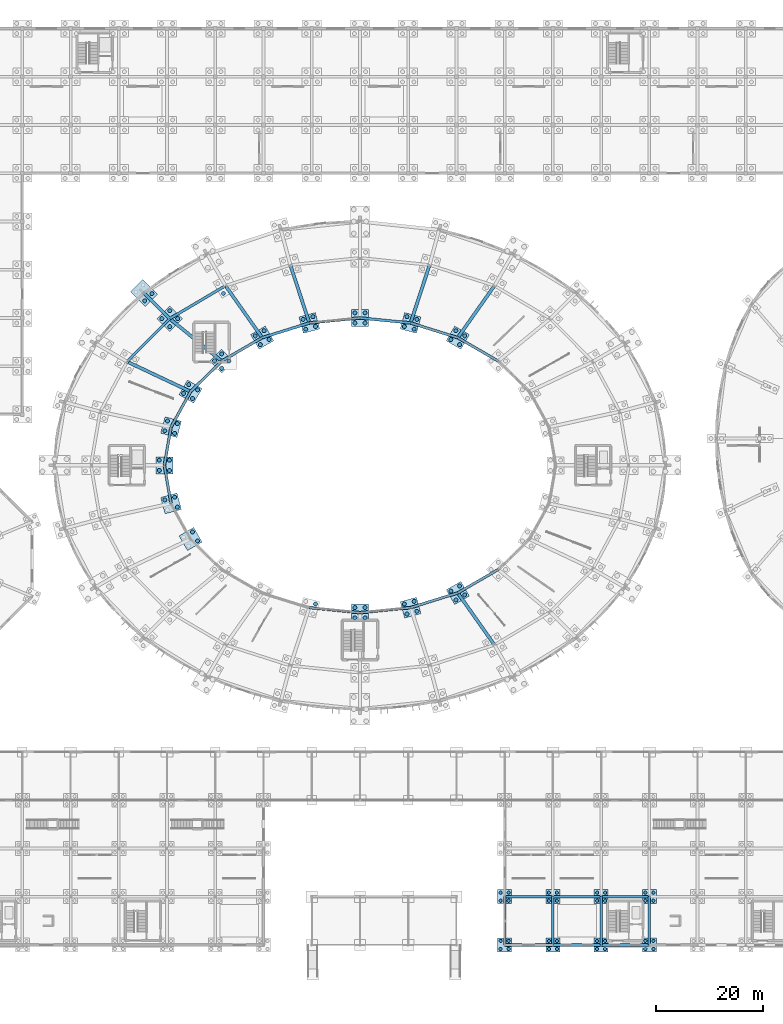
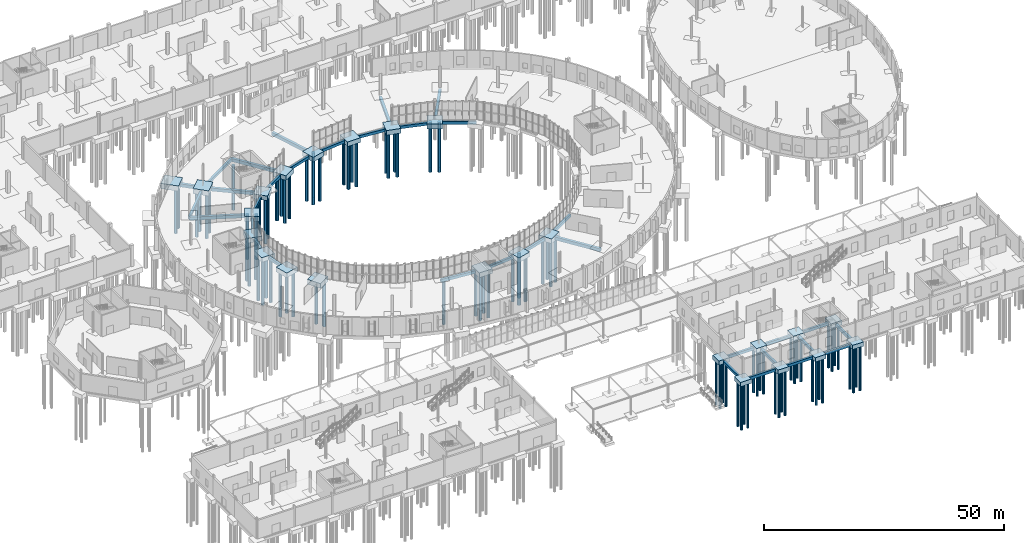
# One storey, part 5 of 118: 93 piles, 58 footings.
"""IFC4 building model written with IfcOpenShell, lengths in metres."""

from ifc_helpers import new_model, si_unit, direction, frame, origin, origin_2d, place, context, subcontext, project, spatial, rectangle, circle, extrude, material, material_profile, profile_set, type_object, element, save


model = new_model("IFC4")

# Units and contexts
model_context = context("Model", 3, precision=1e-05, world=origin(), true_north=direction((0.0, 1.0)))
body_context = subcontext(model_context, "Body", "Model", "MODEL_VIEW")
ifc_project = project(units=[si_unit("LENGTHUNIT", "METRE"), si_unit("AREAUNIT", "SQUARE_METRE"), si_unit("VOLUMEUNIT", "CUBIC_METRE"), si_unit("PLANEANGLEUNIT", "RADIAN"), si_unit("MASSUNIT", "GRAM", prefix="KILO")], contexts=[model_context])

# Site, building, storey
site_placement = place(None, origin())
site = spatial("IfcSite", under=ifc_project, at=site_placement, CompositionType="ELEMENT")
building_placement = place(site_placement, origin())
building = spatial("IfcBuilding", under=site, at=building_placement, Name="Kildeholm Park Wholesale Market", CompositionType="ELEMENT")
storey_placement = place(building_placement, origin())
storey = spatial("IfcBuildingStorey", under=building, at=storey_placement, Name="L00", CompositionType="ELEMENT", Elevation=0.0)

# Piles
ifc_material = material(Name="Concrete C35/45", Category="concrete")
ifc_material_profile_1 = material_profile(ifc_material, circle(Radius=0.300048828125, at=origin_2d()), Name="PILE D600")
ifc_profile_set_1 = profile_set([ifc_material_profile_1], Name="Concrete C35/45")
pile_type_1 = type_object("IfcPileType", Name="Bored pile 600 mm", PredefinedType="BORED", material=ifc_profile_set_1)
for number, where, z_axis, x_axis, name in (
    (1, (125.25, -0.75, -1.0), (0.0, 0.0, -1.0), (1.0, 0.0, 0.0), "Bored pile V5E-126-000.1 PIL-1005"),
    (2, (126.75, -0.75, -1.0), (0.0, 0.0, -1.0), (1.0, 0.0, 0.0), "Bored pile V5E-126-000.2 PIL-1006"),
    (3, (125.25, 0.75, -1.0), (0.0, 0.0, -1.0), (1.0, 0.0, 0.0), "Bored pile V5E-126-000.3 PIL-1007"),
    (4, (126.75, 0.75, -1.0), (0.0, 0.0, -1.0), (1.0, 0.0, 0.0), "Bored pile V5E-126-000.4 PIL-1008"),
    (5, (125.25, 8.25, -1.0), (0.0, 0.0, -1.0), (1.0, 0.0, 0.0), "Bored pile V5E-126-009.1 PIL-1009"),
    (6, (126.75, 8.25, -1.0), (0.0, 0.0, -1.0), (1.0, 0.0, 0.0), "Bored pile V5E-126-009.2 PIL-1010"),
    (7, (125.25, 9.75, -1.0), (0.0, 0.0, -1.0), (1.0, 0.0, 0.0), "Bored pile V5E-126-009.3 PIL-1011"),
    (8, (126.75, 9.75, -1.0), (0.0, 0.0, -1.0), (1.0, 0.0, 0.0), "Bored pile V5E-126-009.4 PIL-1012"),
    (9, (134.25, -0.75, -1.0), (0.0, 0.0, -1.0), (1.0, 0.0, 0.0), "Bored pile V5E-135-000.1 PIL-1021"),
    (10, (135.75, -0.75, -1.0), (0.0, 0.0, -1.0), (1.0, 0.0, 0.0), "Bored pile V5E-135-000.2 PIL-1022"),
    (11, (134.25, 0.75, -1.0), (0.0, 0.0, -1.0), (1.0, 0.0, 0.0), "Bored pile V5E-135-000.3 PIL-1023"),
    (12, (135.75, 0.75, -1.0), (0.0, 0.0, -1.0), (1.0, 0.0, 0.0), "Bored pile V5E-135-000.4 PIL-1024"),
    (13, (134.25, 8.25, -1.0), (0.0, 0.0, -1.0), (1.0, 0.0, 0.0), "Bored pile V5E-135-009.1 PIL-1025"),
    (14, (135.75, 8.25, -1.0), (0.0, 0.0, -1.0), (1.0, 0.0, 0.0), "Bored pile V5E-135-009.2 PIL-1026"),
    (15, (134.25, 9.75, -1.0), (0.0, 0.0, -1.0), (1.0, 0.0, 0.0), "Bored pile V5E-135-009.3 PIL-1027"),
    (16, (135.75, 9.75, -1.0), (0.0, 0.0, -1.0), (1.0, 0.0, 0.0), "Bored pile V5E-135-009.4 PIL-1028"),
    (17, (143.25, -0.75, -1.0), (0.0, 0.0, -1.0), (1.0, 0.0, 0.0), "Bored pile V5E-144-000.1 PIL-1037"),
    (18, (144.75, -0.75, -1.0), (0.0, 0.0, -1.0), (1.0, 0.0, 0.0), "Bored pile V5E-144-000.2 PIL-1038"),
    (19, (143.25, 0.75, -1.0), (0.0, 0.0, -1.0), (1.0, 0.0, 0.0), "Bored pile V5E-144-000.3 PIL-1039"),
    (20, (144.75, 0.75, -1.0), (0.0, 0.0, -1.0), (1.0, 0.0, 0.0), "Bored pile V5E-144-000.4 PIL-1040"),
    (21, (143.25, 8.25, -1.0), (0.0, 0.0, -1.0), (1.0, 0.0, 0.0), "Bored pile V5E-144-009.1 PIL-1041"),
    (22, (144.75, 8.25, -1.0), (0.0, 0.0, -1.0), (1.0, 0.0, 0.0), "Bored pile V5E-144-009.2 PIL-1042"),
    (23, (143.25, 9.75, -1.0), (0.0, 0.0, -1.0), (1.0, 0.0, 0.0), "Bored pile V5E-144-009.3 PIL-1043"),
    (24, (144.75, 9.75, -1.0), (0.0, 0.0, -1.0), (1.0, 0.0, 0.0), "Bored pile V5E-144-009.4 PIL-1044"),
    (25, (152.25, -0.75, -1.0), (0.0, 0.0, -1.0), (1.0, 0.0, 0.0), "Bored pile V5E-153-000.1 PIL-1053"),
    (26, (153.75, -0.75, -1.0), (0.0, 0.0, -1.0), (1.0, 0.0, 0.0), "Bored pile V5E-153-000.2 PIL-1054"),
    (27, (152.25, 0.75, -1.0), (0.0, 0.0, -1.0), (1.0, 0.0, 0.0), "Bored pile V5E-153-000.3 PIL-1055"),
    (28, (153.75, 0.75, -1.0), (0.0, 0.0, -1.0), (1.0, 0.0, 0.0), "Bored pile V5E-153-000.4 PIL-1056"),
    (29, (152.25, 8.25, -1.0), (0.0, 0.0, -1.0), (1.0, 0.0, 0.0), "Bored pile V5E-153-009.1 PIL-1057"),
    (30, (153.75, 8.25, -1.0), (0.0, 0.0, -1.0), (1.0, 0.0, 0.0), "Bored pile V5E-153-009.2 PIL-1058"),
    (31, (152.25, 9.75, -1.0), (0.0, 0.0, -1.0), (1.0, 0.0, 0.0), "Bored pile V5E-153-009.3 PIL-1059"),
    (32, (153.75, 9.75, -1.0), (0.0, 0.0, -1.0), (1.0, 0.0, 0.0), "Bored pile V5E-153-009.4 PIL-1060"),
):
    element("IfcPile", number, at=place(storey_placement, frame(where, z_axis=z_axis, x_axis=x_axis)), inside=storey, type_object=pile_type_1, Name=name, PredefinedType="BORED", context=body_context, shape_type="SweptSolid", body=[
        extrude(circle(Radius=0.300048828125, at=origin_2d()), origin(), (0.0, 0.0, 1.0), 11.5),
    ])
ifc_material_profile_2 = material_profile(ifc_material, circle(Radius=0.375, at=origin_2d()), Name="PILE D750")
ifc_profile_set_2 = profile_set([ifc_material_profile_2], Name="Concrete C35/45")
pile_type_2 = type_object("IfcPileType", Name="Bored pile 750 mm", PredefinedType="BORED", material=ifc_profile_set_2)
for number, where, z_axis, x_axis, name in (
    (33, (117.59765625, 112.018310546875, -1.10009765625), (0.0, 0.0, -1.0), (1.0, 0.0, 0.0), "Bored pile V1-IN-04.1 PIL-0053"),
    (34, (118.547607421875, 113.663818359375, -1.10009765625), (0.0, 0.0, -1.0), (1.0, 0.0, 0.0), "Bored pile V1-IN-04.2 PIL-0054"),
    (35, (115.952392578125, 112.96826171875, -1.10009765625), (0.0, 0.0, -1.0), (1.0, 0.0, 0.0), "Bored pile V1-IN-04.3 PIL-0055"),
    (36, (116.90234375, 114.61376953125, -1.10009765625), (0.0, 0.0, -1.0), (1.0, 0.0, 0.0), "Bored pile V1-IN-04.4 PIL-0056"),
    (37, (109.118896484375, 114.8994140625, -1.10009765625), (0.0, 0.0, -1.0), (1.0, 0.0, 0.0), "Bored pile V1-IN-05.1 PIL-0067"),
    (38, (109.610595703125, 116.73486328125, -1.10009765625), (0.0, 0.0, -1.0), (1.0, 0.0, 0.0), "Bored pile V1-IN-05.2 PIL-0068"),
    (39, (107.283447265625, 115.39111328125, -1.10009765625), (0.0, 0.0, -1.0), (1.0, 0.0, 0.0), "Bored pile V1-IN-05.3 PIL-0069"),
    (40, (107.775146484375, 117.2265625, -1.10009765625), (0.0, 0.0, -1.0), (1.0, 0.0, 0.0), "Bored pile V1-IN-05.4 PIL-0070"),
    (41, (99.949951171875, 116.050048828125, -1.10009765625), (0.0, 0.0, -1.0), (1.0, 0.0, 0.0), "Bored pile V1-IN-06.1 PIL-0079"),
    (42, (99.949951171875, 117.949951171875, -1.10009765625), (0.0, 0.0, -1.0), (1.0, 0.0, 0.0), "Bored pile V1-IN-06.2 PIL-0080"),
    (43, (98.050048828125, 116.050048828125, -1.10009765625), (0.0, 0.0, -1.0), (1.0, 0.0, 0.0), "Bored pile V1-IN-06.3 PIL-0081"),
    (44, (98.050048828125, 117.949951171875, -1.10009765625), (0.0, 0.0, -1.0), (1.0, 0.0, 0.0), "Bored pile V1-IN-06.4 PIL-0082"),
    (45, (90.716552734375, 115.39111328125, -1.10009765625), (0.0, 0.0, -1.0), (1.0, 0.0, 0.0), "Bored pile V1-IN-07.1 PIL-0093"),
    (46, (90.224853515625, 117.2265625, -1.10009765625), (0.0, 0.0, -1.0), (1.0, 0.0, 0.0), "Bored pile V1-IN-07.2 PIL-0094"),
    (47, (88.881103515625, 114.8994140625, -1.10009765625), (0.0, 0.0, -1.0), (1.0, 0.0, 0.0), "Bored pile V1-IN-07.3 PIL-0095"),
    (48, (88.389404296875, 116.73486328125, -1.10009765625), (0.0, 0.0, -1.0), (1.0, 0.0, 0.0), "Bored pile V1-IN-07.4 PIL-0096"),
    (49, (82.047607421875, 112.96826171875, -1.10009765625), (0.0, 0.0, -1.0), (1.0, 0.0, 0.0), "Bored pile V1-IN-08.1 PIL-0105"),
    (50, (81.09765625, 114.61376953125, -1.10009765625), (0.0, 0.0, -1.0), (1.0, 0.0, 0.0), "Bored pile V1-IN-08.2 PIL-0106"),
    (51, (80.40234375, 112.018310546875, -1.10009765625), (0.0, 0.0, -1.0), (1.0, 0.0, 0.0), "Bored pile V1-IN-08.3 PIL-0107"),
    (52, (79.452392578125, 113.663818359375, -1.10009765625), (0.0, 0.0, -1.0), (1.0, 0.0, 0.0), "Bored pile V1-IN-08.4 PIL-0108"),
):
    element("IfcPile", number, at=place(storey_placement, frame(where, z_axis=z_axis, x_axis=x_axis)), inside=storey, type_object=pile_type_2, Name=name, PredefinedType="BORED", context=body_context, shape_type="SweptSolid", body=[
        extrude(circle(Radius=0.375, at=origin_2d()), origin(), (0.0, 0.0, 1.0), 11.39990234375),
    ])
pile_placement = place(storey_placement, frame((73.515625, 121.580810546875, -1.199951171875), z_axis=(0.0, 0.0, -1.0), x_axis=(1.0, 0.0, 0.0)))
element("IfcPile", 53, at=pile_placement, inside=storey, type_object=pile_type_2, Name="Bored pile V1-MD-08.3 PIL-0111", PredefinedType="BORED", context=body_context, shape_type="SweptSolid", body=[
    extrude(circle(Radius=0.375, at=origin_2d()), origin(), (0.0, 0.0, 1.0), 11.300048828125),
])
for number, where, z_axis, x_axis, name in (
    (54, (74.534423828125, 108.945068359375, -1.10009765625), (0.0, 0.0, -1.0), (1.0, 0.0, 0.0), "Bored pile V1-IN-09.1 PIL-0119"),
    (55, (73.19091796875, 110.28857421875, -1.10009765625), (0.0, 0.0, -1.0), (1.0, 0.0, 0.0), "Bored pile V1-IN-09.2 PIL-0120"),
    (56, (73.19091796875, 107.6015625, -1.10009765625), (0.0, 0.0, -1.0), (1.0, 0.0, 0.0), "Bored pile V1-IN-09.3 PIL-0121"),
    (57, (71.847412109375, 108.945068359375, -1.10009765625), (0.0, 0.0, -1.0), (1.0, 0.0, 0.0), "Bored pile V1-IN-09.4 PIL-0122"),
):
    element("IfcPile", number, at=place(storey_placement, frame(where, z_axis=z_axis, x_axis=x_axis)), inside=storey, type_object=pile_type_2, Name=name, PredefinedType="BORED", context=body_context, shape_type="SweptSolid", body=[
        extrude(circle(Radius=0.375, at=origin_2d()), origin(), (0.0, 0.0, 1.0), 11.39990234375),
    ])
for number, where, z_axis, x_axis, name in (
    (58, (64.98779296875, 116.864990234375, -1.199951171875), (0.0, 0.0, -1.0), (1.0, 0.0, 0.0), "Bored pile V1-MD-09.1 PIL-0123"),
    (59, (63.5029296875, 118.349853515625, -1.199951171875), (0.0, 0.0, -1.0), (1.0, 0.0, 0.0), "Bored pile V1-MD-09.2 PIL-0124"),
    (60, (63.5029296875, 115.380126953125, -1.199951171875), (0.0, 0.0, -1.0), (1.0, 0.0, 0.0), "Bored pile V1-MD-09.3 PIL-0125"),
    (61, (62.01806640625, 116.864990234375, -1.199951171875), (0.0, 0.0, -1.0), (1.0, 0.0, 0.0), "Bored pile V1-MD-09.4 PIL-0126"),
):
    element("IfcPile", number, at=place(storey_placement, frame(where, z_axis=z_axis, x_axis=x_axis)), inside=storey, type_object=pile_type_2, Name=name, PredefinedType="BORED", context=body_context, shape_type="SweptSolid", body=[
        extrude(circle(Radius=0.375, at=origin_2d()), origin(), (0.0, 0.0, 1.0), 11.300048828125),
    ])
for number, where, z_axis, x_axis, name in (
    (62, (60.179931640625, 121.531494140625, -1.25), (0.0, 0.0, -1.0), (1.0, 0.0, 0.0), "Bored pile V1-OT-09.1 PIL-0127"),
    (63, (58.83642578125, 120.18798828125, -1.25), (0.0, 0.0, -1.0), (1.0, 0.0, 0.0), "Bored pile V1-OT-09.3 PIL-0129"),
):
    element("IfcPile", number, at=place(storey_placement, frame(where, z_axis=z_axis, x_axis=x_axis)), inside=storey, type_object=pile_type_2, Name=name, PredefinedType="BORED", context=body_context, shape_type="SweptSolid", body=[
        extrude(circle(Radius=0.375, at=origin_2d()), origin(), (0.0, 0.0, 1.0), 11.25),
    ])
for number, where, z_axis, x_axis, name in (
    (64, (68.687744140625, 103.59765625, -1.10009765625), (0.0, 0.0, -1.0), (1.0, 0.0, 0.0), "Bored pile V1-IN-10.1 PIL-0131"),
    (65, (67.042236328125, 104.547607421875, -1.10009765625), (0.0, 0.0, -1.0), (1.0, 0.0, 0.0), "Bored pile V1-IN-10.2 PIL-0132"),
    (66, (67.73779296875, 101.952392578125, -1.10009765625), (0.0, 0.0, -1.0), (1.0, 0.0, 0.0), "Bored pile V1-IN-10.3 PIL-0133"),
    (67, (66.09228515625, 102.90234375, -1.10009765625), (0.0, 0.0, -1.0), (1.0, 0.0, 0.0), "Bored pile V1-IN-10.4 PIL-0134"),
    (68, (64.907470703125, 97.289794921875, -1.10009765625), (0.0, 0.0, -1.0), (1.0, 0.0, 0.0), "Bored pile V1-IN-11.1 PIL-0145"),
    (69, (63.072265625, 97.781494140625, -1.10009765625), (0.0, 0.0, -1.0), (1.0, 0.0, 0.0), "Bored pile V1-IN-11.2 PIL-0146"),
    (70, (64.415771484375, 95.45458984375, -1.10009765625), (0.0, 0.0, -1.0), (1.0, 0.0, 0.0), "Bored pile V1-IN-11.3 PIL-0147"),
    (71, (62.58056640625, 95.9462890625, -1.10009765625), (0.0, 0.0, -1.0), (1.0, 0.0, 0.0), "Bored pile V1-IN-11.4 PIL-0148"),
    (72, (63.449951171875, 90.449951171875, -1.10009765625), (0.0, 0.0, -1.0), (1.0, 0.0, 0.0), "Bored pile V1-IN-12.1 PIL-0157"),
    (73, (61.550048828125, 90.449951171875, -1.10009765625), (0.0, 0.0, -1.0), (1.0, 0.0, 0.0), "Bored pile V1-IN-12.2 PIL-0158"),
    (74, (63.449951171875, 88.550048828125, -1.10009765625), (0.0, 0.0, -1.0), (1.0, 0.0, 0.0), "Bored pile V1-IN-12.3 PIL-0159"),
    (75, (61.550048828125, 88.550048828125, -1.10009765625), (0.0, 0.0, -1.0), (1.0, 0.0, 0.0), "Bored pile V1-IN-12.4 PIL-0160"),
    (76, (64.415771484375, 83.54541015625, -1.10009765625), (0.0, 0.0, -1.0), (1.0, 0.0, 0.0), "Bored pile V1-IN-13.1 PIL-0171"),
    (77, (62.58056640625, 83.0537109375, -1.10009765625), (0.0, 0.0, -1.0), (1.0, 0.0, 0.0), "Bored pile V1-IN-13.2 PIL-0172"),
    (78, (64.907470703125, 81.710205078125, -1.10009765625), (0.0, 0.0, -1.0), (1.0, 0.0, 0.0), "Bored pile V1-IN-13.3 PIL-0173"),
    (79, (67.73779296875, 77.047607421875, -1.10009765625), (0.0, 0.0, -1.0), (1.0, 0.0, 0.0), "Bored pile V1-IN-14.1 PIL-0183"),
    (80, (68.687744140625, 75.40234375, -1.10009765625), (0.0, 0.0, -1.0), (1.0, 0.0, 0.0), "Bored pile V1-IN-14.3 PIL-0185"),
    (81, (90.716552734375, 63.60888671875, -1.10009765625), (0.0, 0.0, -1.0), (1.0, 0.0, 0.0), "Bored pile V1-IN-17.3 PIL-0225"),
    (82, (98.050048828125, 62.949951171875, -1.10009765625), (0.0, 0.0, -1.0), (1.0, 0.0, 0.0), "Bored pile V1-IN-18.1 PIL-0235"),
    (83, (98.050048828125, 61.050048828125, -1.10009765625), (0.0, 0.0, -1.0), (1.0, 0.0, 0.0), "Bored pile V1-IN-18.2 PIL-0236"),
    (84, (99.949951171875, 62.949951171875, -1.10009765625), (0.0, 0.0, -1.0), (1.0, 0.0, 0.0), "Bored pile V1-IN-18.3 PIL-0237"),
    (85, (99.949951171875, 61.050048828125, -1.10009765625), (0.0, 0.0, -1.0), (1.0, 0.0, 0.0), "Bored pile V1-IN-18.4 PIL-0238"),
    (86, (107.283447265625, 63.60888671875, -1.10009765625), (0.0, 0.0, -1.0), (1.0, 0.0, 0.0), "Bored pile V1-IN-19.1 PIL-0249"),
    (87, (107.775146484375, 61.7734375, -1.10009765625), (0.0, 0.0, -1.0), (1.0, 0.0, 0.0), "Bored pile V1-IN-19.2 PIL-0250"),
    (88, (109.118896484375, 64.1005859375, -1.10009765625), (0.0, 0.0, -1.0), (1.0, 0.0, 0.0), "Bored pile V1-IN-19.3 PIL-0251"),
    (89, (109.610595703125, 62.26513671875, -1.10009765625), (0.0, 0.0, -1.0), (1.0, 0.0, 0.0), "Bored pile V1-IN-19.4 PIL-0252"),
    (90, (115.952392578125, 66.03173828125, -1.10009765625), (0.0, 0.0, -1.0), (1.0, 0.0, 0.0), "Bored pile V1-IN-20.1 PIL-0261"),
    (91, (116.90234375, 64.38623046875, -1.10009765625), (0.0, 0.0, -1.0), (1.0, 0.0, 0.0), "Bored pile V1-IN-20.2 PIL-0262"),
    (92, (117.59765625, 66.981689453125, -1.10009765625), (0.0, 0.0, -1.0), (1.0, 0.0, 0.0), "Bored pile V1-IN-20.3 PIL-0263"),
    (93, (118.547607421875, 65.336181640625, -1.10009765625), (0.0, 0.0, -1.0), (1.0, 0.0, 0.0), "Bored pile V1-IN-20.4 PIL-0264"),
):
    element("IfcPile", number, at=place(storey_placement, frame(where, z_axis=z_axis, x_axis=x_axis)), inside=storey, type_object=pile_type_2, Name=name, PredefinedType="BORED", context=body_context, shape_type="SweptSolid", body=[
        extrude(circle(Radius=0.375, at=origin_2d()), origin(), (0.0, 0.0, 1.0), 11.39990234375),
    ])

# Footings
ifc_material_profile_3 = material_profile(ifc_material, rectangle(XDim=0.5, YDim=0.699951171875, at=origin_2d()), Name="FB 500x700")
ifc_profile_set_3 = profile_set([ifc_material_profile_3], Name="Concrete C35/45")
footing_type_1 = type_object("IfcFootingType", Name="Ground tie beam GB-1 FB 500x700", PredefinedType="FOOTING_BEAM", material=ifc_profile_set_3)
footing_1_placement = place(storey_placement, frame((124.80908203125, 108.945068359375, -0.64990234375), z_axis=(-0.865697347457, 0.500567780231, 0.0), x_axis=(-0.500567780231, -0.865697347457, 0.0)))
element("IfcFooting", 94, at=footing_1_placement, inside=storey, type_object=footing_type_1, Name="Ground tie beam GB-V1-CIN-03 FTG-0090", PredefinedType="FOOTING_BEAM", context=body_context, shape_type="SweptSolid", body=[
    extrude(rectangle(XDim=0.5, YDim=0.699951171875, at=origin_2d()), origin(), (0.0, 0.0, 1.0), 8.731689453125),
])
footing_2_placement = place(storey_placement, frame((117.25, 113.31591796875, -0.64990234375), z_axis=(-0.9545990852, 0.297893582568, 0.0), x_axis=(-0.297893582568, -0.9545990852, 0.0)))
element("IfcFooting", 95, at=footing_2_placement, inside=storey, type_object=footing_type_1, Name="Ground tie beam GB-V1-CIN-04 FTG-0095", PredefinedType="FOOTING_BEAM", context=body_context, shape_type="SweptSolid", body=[
    extrude(rectangle(XDim=0.5, YDim=0.699951171875, at=origin_2d()), origin(), (0.0, 0.0, 1.0), 9.2216796875),
])
for number, where, z_axis, x_axis, name in (
    (96, (108.447021484375, 116.06298828125, -0.64990234375), (-0.995117073258, 0.098701623651, 0.0), (-0.098701623651, -0.995117073258, 0.0), "Ground tie beam GB-V1-CIN-05 FTG-0100"),
    (97, (99.0, 117.0, -0.64990234375), (-0.995117073258, -0.098701623651, 0.0), (0.098701623651, -0.995117073258, 0.0), "Ground tie beam GB-V1-CIN-06 FTG-0105"),
):
    element("IfcFooting", number, at=place(storey_placement, frame(where, z_axis=z_axis, x_axis=x_axis)), inside=storey, type_object=footing_type_1, Name=name, PredefinedType="FOOTING_BEAM", context=body_context, shape_type="SweptSolid", body=[
        extrude(rectangle(XDim=0.5, YDim=0.699951171875, at=origin_2d()), origin(), (0.0, 0.0, 1.0), 9.493408203125),
    ])
footing_3_placement = place(storey_placement, frame((89.552978515625, 116.06298828125, -0.64990234375), z_axis=(-0.9545990852, -0.297893582568, 0.0), x_axis=(0.297893582568, -0.9545990852, 0.0)))
element("IfcFooting", 98, at=footing_3_placement, inside=storey, type_object=footing_type_1, Name="Ground tie beam GB-V1-CIN-07 FTG-0110", PredefinedType="FOOTING_BEAM", context=body_context, shape_type="SweptSolid", body=[
    extrude(rectangle(XDim=0.5, YDim=0.699951171875, at=origin_2d()), origin(), (0.0, 0.0, 1.0), 9.2216796875),
])
footing_4_placement = place(storey_placement, frame((80.75, 113.31591796875, -0.64990234375), z_axis=(-0.865697347457, -0.500567780231, 0.0), x_axis=(0.500567780231, -0.865697347457, 0.0)))
element("IfcFooting", 99, at=footing_4_placement, inside=storey, type_object=footing_type_1, Name="Ground tie beam GB-V1-CIN-08 FTG-0115", PredefinedType="FOOTING_BEAM", context=body_context, shape_type="SweptSolid", body=[
    extrude(rectangle(XDim=0.5, YDim=0.699951171875, at=origin_2d()), origin(), (0.0, 0.0, 1.0), 8.731689453125),
])
footing_5_placement = place(storey_placement, frame((73.89990234375, 123.014892578125, -0.64990234375), z_axis=(-0.860700316594, -0.509111937609, 0.0), x_axis=(0.509111937609, -0.860700316594, 0.0)))
element("IfcFooting", 100, at=footing_5_placement, inside=storey, type_object=footing_type_1, Name="Ground tie beam GB-V1-CMD-08 FTG-0116", PredefinedType="FOOTING_BEAM", context=body_context, shape_type="SweptSolid", body=[
    extrude(rectangle(XDim=0.5, YDim=0.699951171875, at=origin_2d()), origin(), (0.0, 0.0, 1.0), 12.07958984375),
])
footing_6_placement = place(storey_placement, frame((73.19091796875, 108.945068359375, -0.64990234375), z_axis=(-0.713593723838, -0.700559774251, 0.0), x_axis=(0.700559774251, -0.713593723838, 0.0)))
element("IfcFooting", 101, at=footing_6_placement, inside=storey, type_object=footing_type_1, Name="Ground tie beam GB-V1-CIN-09 FTG-0120", PredefinedType="FOOTING_BEAM", context=body_context, shape_type="SweptSolid", body=[
    extrude(rectangle(XDim=0.5, YDim=0.699951171875, at=origin_2d()), origin(), (0.0, 0.0, 1.0), 8.12939453125),
])
footing_7_placement = place(storey_placement, frame((63.5029296875, 116.864990234375, -0.64990234375), z_axis=(-0.705431576708, -0.708778026313, 0.0), x_axis=(0.708778026313, -0.705431576708, 0.0)))
element("IfcFooting", 102, at=footing_7_placement, inside=storey, type_object=footing_type_1, Name="Ground tie beam GB-V1-CMD-09 FTG-0121", PredefinedType="FOOTING_BEAM", context=body_context, shape_type="SweptSolid", body=[
    extrude(rectangle(XDim=0.5, YDim=0.699951171875, at=origin_2d()), origin(), (0.0, 0.0, 1.0), 11.30810546875),
])
footing_8_placement = place(storey_placement, frame((67.389892578125, 103.25, -0.64990234375), z_axis=(-0.481751565348, -0.876307839338, 0.0), x_axis=(0.876307839338, -0.481751565348, 0.0)))
element("IfcFooting", 103, at=footing_8_placement, inside=storey, type_object=footing_type_1, Name="Ground tie beam GB-V1-CIN-10 FTG-0125", PredefinedType="FOOTING_BEAM", context=body_context, shape_type="SweptSolid", body=[
    extrude(rectangle(XDim=0.5, YDim=0.699951171875, at=origin_2d()), origin(), (0.0, 0.0, 1.0), 7.568115234375),
])
for number, where, z_axis, x_axis, name in (
    (104, (63.743896484375, 96.617919921875, -0.64990234375), (-0.172146745201, -0.985071316259, 0.0), (0.985071316259, -0.172146745201, 0.0), "Ground tie beam GB-V1-CIN-11 FTG-0130"),
    (105, (62.5, 89.5, -0.64990234375), (0.172146745201, -0.985071316259, 0.0), (0.985071316259, 0.172146745201, 0.0), "Ground tie beam GB-V1-CIN-12 FTG-0135"),
):
    element("IfcFooting", number, at=place(storey_placement, frame(where, z_axis=z_axis, x_axis=x_axis)), inside=storey, type_object=footing_type_1, Name=name, PredefinedType="FOOTING_BEAM", context=body_context, shape_type="SweptSolid", body=[
        extrude(rectangle(XDim=0.5, YDim=0.699951171875, at=origin_2d()), origin(), (0.0, 0.0, 1.0), 7.225830078125),
    ])
for number, where, z_axis, x_axis, name in (
    (106, (89.552978515625, 62.93701171875, -0.64990234375), (0.995117073258, -0.098701623651, 0.0), (0.098701623651, 0.995117073258, 0.0), "Ground tie beam GB-V1-CIN-17 FTG-0160"),
    (107, (99.0, 62.0, -0.64990234375), (0.995117073258, 0.098701623651, 0.0), (-0.098701623651, 0.995117073258, 0.0), "Ground tie beam GB-V1-CIN-18 FTG-0165"),
):
    element("IfcFooting", number, at=place(storey_placement, frame(where, z_axis=z_axis, x_axis=x_axis)), inside=storey, type_object=footing_type_1, Name=name, PredefinedType="FOOTING_BEAM", context=body_context, shape_type="SweptSolid", body=[
        extrude(rectangle(XDim=0.5, YDim=0.699951171875, at=origin_2d()), origin(), (0.0, 0.0, 1.0), 9.493408203125),
    ])
footing_9_placement = place(storey_placement, frame((108.447021484375, 62.93701171875, -0.64990234375), z_axis=(0.9545990852, 0.297893582568, 0.0), x_axis=(-0.297893582568, 0.9545990852, 0.0)))
element("IfcFooting", 108, at=footing_9_placement, inside=storey, type_object=footing_type_1, Name="Ground tie beam GB-V1-CIN-19 FTG-0170", PredefinedType="FOOTING_BEAM", context=body_context, shape_type="SweptSolid", body=[
    extrude(rectangle(XDim=0.5, YDim=0.699951171875, at=origin_2d()), origin(), (0.0, 0.0, 1.0), 9.2216796875),
])
footing_10_placement = place(storey_placement, frame((117.25, 65.68408203125, -0.64990234375), z_axis=(0.865697347457, 0.500567780231, 0.0), x_axis=(-0.500567780231, 0.865697347457, 0.0)))
element("IfcFooting", 109, at=footing_10_placement, inside=storey, type_object=footing_type_1, Name="Ground tie beam GB-V1-CIN-20 FTG-0175", PredefinedType="FOOTING_BEAM", context=body_context, shape_type="SweptSolid", body=[
    extrude(rectangle(XDim=0.5, YDim=0.699951171875, at=origin_2d()), origin(), (0.0, 0.0, 1.0), 8.731689453125),
])
for number, where, z_axis, x_axis, name in (
    (110, (126.0, 0.0, -0.64990234375), (1.0, 0.0, 0.0), (0.0, 1.0, 0.0), "Ground tie beam GB-V5E-X-126-000 FTG-0717"),
    (111, (126.0, 0.0, -0.64990234375), (0.0, 1.0, 0.0), (-1.0, 0.0, 0.0), "Ground tie beam GB-V5E-Y-126-000 FTG-0718"),
    (112, (126.0, 9.0, -0.64990234375), (1.0, 0.0, 0.0), (0.0, 1.0, 0.0), "Ground tie beam GB-V5E-X-126-009 FTG-0719"),
    (113, (135.0, 0.0, -0.64990234375), (1.0, 0.0, 0.0), (0.0, 1.0, 0.0), "Ground tie beam GB-V5E-X-135-000 FTG-0724"),
    (114, (135.0, 0.0, -0.64990234375), (0.0, 1.0, 0.0), (-1.0, 0.0, 0.0), "Ground tie beam GB-V5E-Y-135-000 FTG-0725"),
    (115, (135.0, 9.0, -0.64990234375), (1.0, 0.0, 0.0), (0.0, 1.0, 0.0), "Ground tie beam GB-V5E-X-135-009 FTG-0726"),
    (116, (144.0, 0.0, -0.64990234375), (1.0, 0.0, 0.0), (0.0, 1.0, 0.0), "Ground tie beam GB-V5E-X-144-000 FTG-0731"),
    (117, (144.0, 0.0, -0.64990234375), (0.0, 1.0, 0.0), (-1.0, 0.0, 0.0), "Ground tie beam GB-V5E-Y-144-000 FTG-0732"),
    (118, (144.0, 9.0, -0.64990234375), (1.0, 0.0, 0.0), (0.0, 1.0, 0.0), "Ground tie beam GB-V5E-X-144-009 FTG-0733"),
    (119, (153.0, 0.0, -0.64990234375), (0.0, 1.0, 0.0), (-1.0, 0.0, 0.0), "Ground tie beam GB-V5E-Y-153-000 FTG-0739"),
):
    element("IfcFooting", number, at=place(storey_placement, frame(where, z_axis=z_axis, x_axis=x_axis)), inside=storey, type_object=footing_type_1, Name=name, PredefinedType="FOOTING_BEAM", context=body_context, shape_type="SweptSolid", body=[
        extrude(rectangle(XDim=0.5, YDim=0.699951171875, at=origin_2d()), origin(), (0.0, 0.0, 1.0), 9.0),
    ])
ifc_material_profile_4 = material_profile(ifc_material, rectangle(XDim=0.60009765625, YDim=0.800048828125, at=origin_2d()), Name="FB 600x800")
ifc_profile_set_4 = profile_set([ifc_material_profile_4], Name="Concrete C35/45")
footing_type_2 = type_object("IfcFootingType", Name="Ground tie beam GB-2 FB 600x800", PredefinedType="FOOTING_BEAM", material=ifc_profile_set_4)
footing_11_placement = place(storey_placement, frame((117.25, 113.31591796875, -0.699951171875), z_axis=(0.576894674263, 0.816818544603, 0.0), x_axis=(-0.816818544603, 0.576894674263, 0.0)))
element("IfcFooting", 120, at=footing_11_placement, inside=storey, type_object=footing_type_2, Name="Ground tie beam GB-V1-RAD1-04 FTG-0093", PredefinedType="FOOTING_BEAM", context=body_context, shape_type="SweptSolid", body=[
    extrude(rectangle(XDim=0.60009765625, YDim=0.800048828125, at=origin_2d()), origin(), (0.0, 0.0, 1.0), 11.8740234375),
])
for number, where, z_axis, x_axis, name in (
    (121, (108.447021484375, 116.06298828125, -0.699951171875), (0.31146940438, 0.950256181319, 0.0), (-0.950256181319, 0.31146940438, 0.0), "Ground tie beam GB-V1-RAD1-05 FTG-0098"),
    (122, (89.552978515625, 116.06298828125, -0.699951171875), (-0.31146940438, 0.950256181319, 0.0), (-0.950256181319, -0.31146940438, 0.0), "Ground tie beam GB-V1-RAD1-07 FTG-0108"),
):
    element("IfcFooting", number, at=place(storey_placement, frame(where, z_axis=z_axis, x_axis=x_axis)), inside=storey, type_object=footing_type_2, Name=name, PredefinedType="FOOTING_BEAM", context=body_context, shape_type="SweptSolid", body=[
        extrude(rectangle(XDim=0.60009765625, YDim=0.800048828125, at=origin_2d()), origin(), (0.0, 0.0, 1.0), 11.384521484375),
    ])
footing_12_placement = place(storey_placement, frame((80.75, 113.31591796875, -0.699951171875), z_axis=(-0.576894674263, 0.816818544603, 0.0), x_axis=(-0.816818544603, -0.576894674263, 0.0)))
element("IfcFooting", 123, at=footing_12_placement, inside=storey, type_object=footing_type_2, Name="Ground tie beam GB-V1-RAD1-08 FTG-0113", PredefinedType="FOOTING_BEAM", context=body_context, shape_type="SweptSolid", body=[
    extrude(rectangle(XDim=0.60009765625, YDim=0.800048828125, at=origin_2d()), origin(), (0.0, 0.0, 1.0), 11.8740234375),
])
footing_13_placement = place(storey_placement, frame((73.19091796875, 108.945068359375, -0.699951171875), z_axis=(-0.774216280002, 0.632921126034, 0.0), x_axis=(-0.632921126034, -0.774216280002, 0.0)))
element("IfcFooting", 124, at=footing_13_placement, inside=storey, type_object=footing_type_2, Name="Ground tie beam GB-V1-RAD1-09 FTG-0118", PredefinedType="FOOTING_BEAM", context=body_context, shape_type="SweptSolid", body=[
    extrude(rectangle(XDim=0.60009765625, YDim=0.800048828125, at=origin_2d()), origin(), (0.0, 0.0, 1.0), 12.51318359375),
])
footing_14_placement = place(storey_placement, frame((63.5029296875, 116.864990234375, -0.699951171875), z_axis=(-0.707088828163, 0.707124733755, 0.0), x_axis=(-0.707124733755, -0.707088828163, 0.0)))
element("IfcFooting", 125, at=footing_14_placement, inside=storey, type_object=footing_type_2, Name="Ground tie beam GB-V1-RAD2-09 FTG-0119", PredefinedType="FOOTING_BEAM", context=body_context, shape_type="SweptSolid", body=[
    extrude(rectangle(XDim=0.60009765625, YDim=0.800048828125, at=origin_2d()), origin(), (0.0, 0.0, 1.0), 6.799560546875),
])
footing_15_placement = place(storey_placement, frame((67.389892578125, 103.25, -0.699951171875), z_axis=(-0.904317894242, 0.426859632846, 0.0), x_axis=(-0.426859632846, -0.904317894242, 0.0)))
element("IfcFooting", 126, at=footing_15_placement, inside=storey, type_object=footing_type_2, Name="Ground tie beam GB-V1-RAD1-10 FTG-0123", PredefinedType="FOOTING_BEAM", context=body_context, shape_type="SweptSolid", body=[
    extrude(rectangle(XDim=0.60009765625, YDim=0.800048828125, at=origin_2d()), origin(), (0.0, 0.0, 1.0), 13.119384765625),
])
footing_16_placement = place(storey_placement, frame((117.25, 65.68408203125, -0.699951171875), z_axis=(0.576894674263, -0.816818544603, 0.0), x_axis=(0.816818544603, 0.576894674263, 0.0)))
element("IfcFooting", 127, at=footing_16_placement, inside=storey, type_object=footing_type_2, Name="Ground tie beam GB-V1-RAD1-20 FTG-0173", PredefinedType="FOOTING_BEAM", context=body_context, shape_type="SweptSolid", body=[
    extrude(rectangle(XDim=0.60009765625, YDim=0.800048828125, at=origin_2d()), origin(), (0.0, 0.0, 1.0), 11.8740234375),
])
footing_type_3 = type_object("IfcFootingType", Name="Pile cap PC-4A 2600x2600x1100", PredefinedType="PILE_CAP", material=ifc_material)
for number, where, z_axis, x_axis, name in (
    (128, (126.0, 0.0, -1.10009765625), (0.0, 0.0, 1.0), (1.0, 0.0, 0.0), "Pile cap V5E-126-000 FTG-0681"),
    (129, (126.0, 9.0, -1.10009765625), (0.0, 0.0, 1.0), (1.0, 0.0, 0.0), "Pile cap V5E-126-009 FTG-0682"),
    (130, (135.0, 0.0, -1.10009765625), (0.0, 0.0, 1.0), (1.0, 0.0, 0.0), "Pile cap V5E-135-000 FTG-0685"),
    (131, (135.0, 9.0, -1.10009765625), (0.0, 0.0, 1.0), (1.0, 0.0, 0.0), "Pile cap V5E-135-009 FTG-0686"),
    (132, (144.0, 0.0, -1.10009765625), (0.0, 0.0, 1.0), (1.0, 0.0, 0.0), "Pile cap V5E-144-000 FTG-0689"),
    (133, (144.0, 9.0, -1.10009765625), (0.0, 0.0, 1.0), (1.0, 0.0, 0.0), "Pile cap V5E-144-009 FTG-0690"),
    (134, (153.0, 0.0, -1.10009765625), (0.0, 0.0, 1.0), (1.0, 0.0, 0.0), "Pile cap V5E-153-000 FTG-0693"),
    (135, (153.0, 9.0, -1.10009765625), (0.0, 0.0, 1.0), (1.0, 0.0, 0.0), "Pile cap V5E-153-009 FTG-0694"),
):
    element("IfcFooting", number, at=place(storey_placement, frame(where, z_axis=z_axis, x_axis=x_axis)), inside=storey, type_object=footing_type_3, Name=name, PredefinedType="PILE_CAP", context=body_context, shape_type="SweptSolid", body=[
        extrude(rectangle(XDim=2.60009765625, YDim=2.60009765625, at=origin_2d()), origin(), (0.0, 0.0, 1.0), 1.10009765625),
    ])
footing_type_4 = type_object("IfcFootingType", Name="Pile cap PC-4B 3150x3150x1200", PredefinedType="PILE_CAP", material=ifc_material)
for number, where, z_axis, x_axis, name in (
    (136, (117.25, 113.31591796875, -1.2001953125), (0.0, 0.0, 1.0), (0.5, 0.866025403784, 0.0), "Pile cap V1-IN-04 FTG-0013"),
    (137, (108.447021484375, 116.06298828125, -1.2001953125), (0.0, 0.0, 1.0), (0.258819045103, 0.965925826289, 0.0), "Pile cap V1-IN-05 FTG-0016"),
    (138, (99.0, 117.0, -1.2001953125), (0.0, 0.0, 1.0), (0.0, 1.0, 0.0), "Pile cap V1-IN-06 FTG-0019"),
    (139, (89.552978515625, 116.06298828125, -1.2001953125), (0.0, 0.0, 1.0), (-0.258819045103, 0.965925826289, 0.0), "Pile cap V1-IN-07 FTG-0022"),
    (140, (80.75, 113.31591796875, -1.2001953125), (0.0, 0.0, 1.0), (-0.5, 0.866025403784, 0.0), "Pile cap V1-IN-08 FTG-0025"),
    (141, (73.19091796875, 108.945068359375, -1.2001953125), (0.0, 0.0, 1.0), (-0.707106781187, 0.707106781187, 0.0), "Pile cap V1-IN-09 FTG-0028"),
    (142, (67.389892578125, 103.25, -1.2001953125), (0.0, 0.0, 1.0), (-0.866025403784, 0.5, 0.0), "Pile cap V1-IN-10 FTG-0031"),
    (143, (63.743896484375, 96.617919921875, -1.2001953125), (0.0, 0.0, 1.0), (-0.965925826289, 0.258819045103, 0.0), "Pile cap V1-IN-11 FTG-0034"),
    (144, (62.5, 89.5, -1.2001953125), (0.0, 0.0, 1.0), (-1.0, 0.0, 0.0), "Pile cap V1-IN-12 FTG-0037"),
    (145, (63.743896484375, 82.382080078125, -1.2001953125), (0.0, 0.0, 1.0), (-0.965925826289, -0.258819045103, 0.0), "Pile cap V1-IN-13 FTG-0040"),
    (146, (67.389892578125, 75.75, -1.2001953125), (0.0, 0.0, 1.0), (-0.866025403784, -0.5, 0.0), "Pile cap V1-IN-14 FTG-0043"),
    (147, (99.0, 62.0, -1.2001953125), (0.0, 0.0, 1.0), (0.0, -1.0, 0.0), "Pile cap V1-IN-18 FTG-0055"),
    (148, (108.447021484375, 62.93701171875, -1.2001953125), (0.0, 0.0, 1.0), (0.258819045103, -0.965925826289, 0.0), "Pile cap V1-IN-19 FTG-0058"),
    (149, (117.25, 65.68408203125, -1.2001953125), (0.0, 0.0, 1.0), (0.5, -0.866025403784, 0.0), "Pile cap V1-IN-20 FTG-0061"),
):
    element("IfcFooting", number, at=place(storey_placement, frame(where, z_axis=z_axis, x_axis=x_axis)), inside=storey, type_object=footing_type_4, Name=name, PredefinedType="PILE_CAP", context=body_context, shape_type="SweptSolid", body=[
        extrude(rectangle(XDim=3.14990234375, YDim=3.14990234375, at=origin_2d()), origin(), (0.0, 0.0, 1.0), 1.199951171875),
    ])
footing_type_5 = type_object("IfcFootingType", Name="Pile cap PC-4C 3400x3400x1300", PredefinedType="PILE_CAP", material=ifc_material)
footing_17_placement = place(storey_placement, frame((63.5029296875, 116.864990234375, -1.2998046875), z_axis=(0.0, 0.0, 1.0), x_axis=(-0.707106781187, 0.707106781187, 0.0)))
element("IfcFooting", 150, at=footing_17_placement, inside=storey, type_object=footing_type_5, Name="Pile cap V1-MD-09 FTG-0029", PredefinedType="PILE_CAP", context=body_context, shape_type="SweptSolid", body=[
    extrude(rectangle(XDim=3.39990234375, YDim=3.39990234375, at=origin_2d()), origin(), (0.0, 0.0, 1.0), 1.300048828125),
])
footing_type_6 = type_object("IfcFootingType", Name="Pile cap PC-4E 3900x3200x1350", PredefinedType="PILE_CAP", material=ifc_material)
footing_18_placement = place(storey_placement, frame((58.695068359375, 121.673095703125, -1.35009765625), z_axis=(0.0, 0.0, 1.0), x_axis=(-0.707106781187, 0.707106781187, 0.0)))
element("IfcFooting", 151, at=footing_18_placement, inside=storey, type_object=footing_type_6, Name="Pile cap V1-OT-09 FTG-0030", PredefinedType="PILE_CAP", context=body_context, shape_type="SweptSolid", body=[
    extrude(rectangle(XDim=3.89990234375, YDim=3.199951171875, at=origin_2d()), origin(), (0.0, 0.0, 1.0), 1.35009765625),
])

save(model, "model.ifc")
